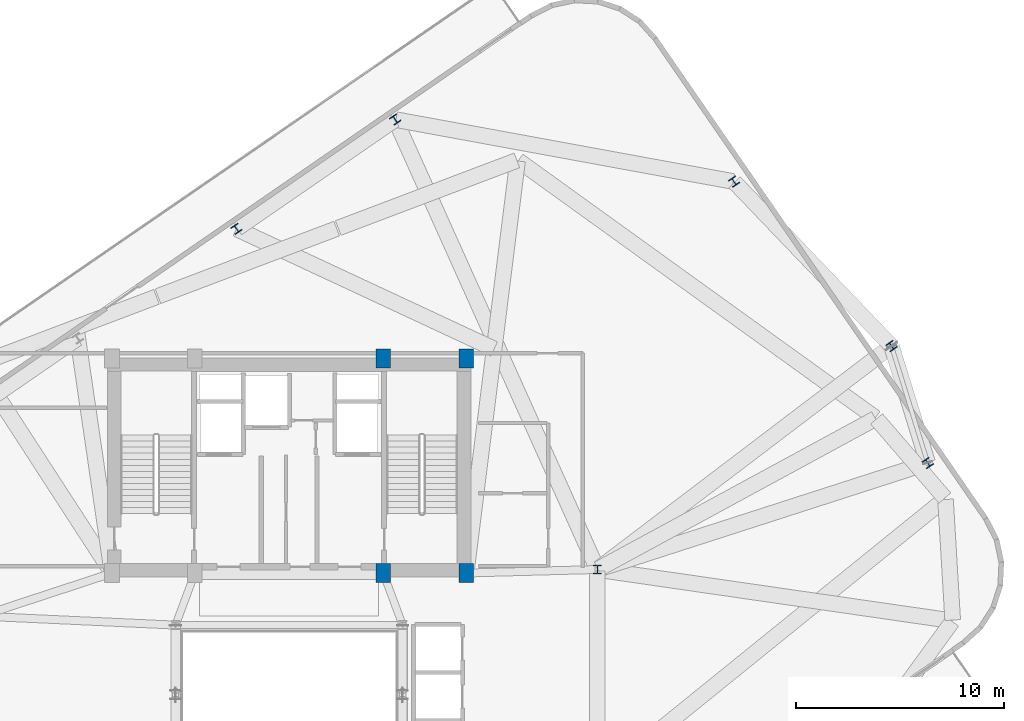
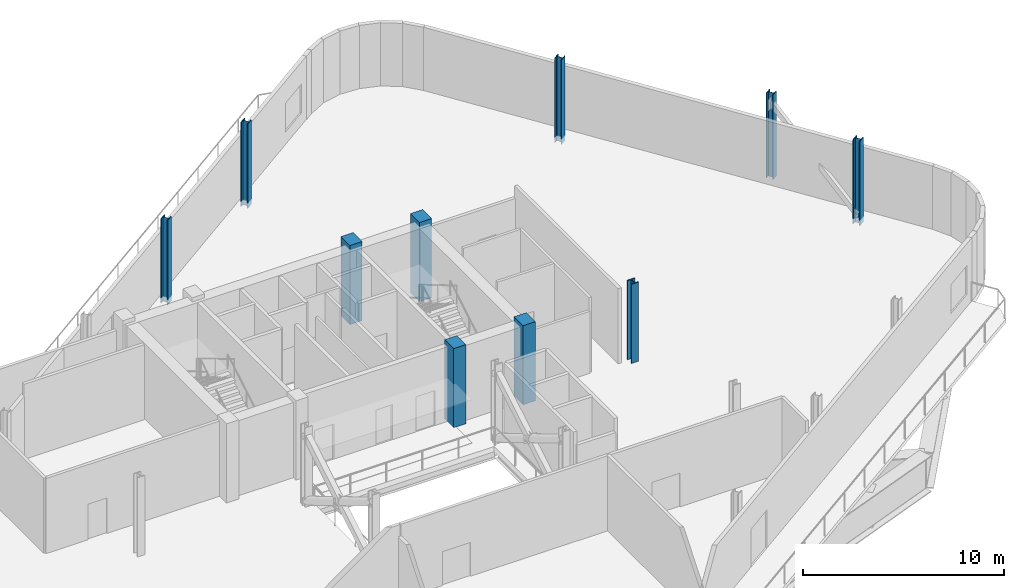
# One storey, part 2 of 13: 10 columns.
"""IFC4 building model written with IfcOpenShell, lengths in metres."""

from ifc_helpers import new_model, si_unit, direction, frame, origin, origin_2d, place, context, subcontext, project, spatial, rectangle, i_section, extrude, material, material_profile, profile_set, type_object, element, save


model = new_model("IFC4")

# Units and contexts
model_context = context("Model", 3, precision=1e-05, world=origin(), true_north=direction((0.0, 1.0)))
body_context = subcontext(model_context, "Body", "Model", "MODEL_VIEW")
ifc_project = project(units=[si_unit("LENGTHUNIT", "METRE"), si_unit("AREAUNIT", "SQUARE_METRE"), si_unit("VOLUMEUNIT", "CUBIC_METRE"), si_unit("PLANEANGLEUNIT", "RADIAN"), si_unit("MASSUNIT", "GRAM", prefix="KILO")], contexts=[model_context])

# Site, building, storey
site_placement = place(None, origin())
site = spatial("IfcSite", under=ifc_project, at=site_placement, CompositionType="ELEMENT")
building_placement = place(site_placement, origin())
building = spatial("IfcBuilding", under=site, at=building_placement, Name="Varnelok Gate Tower", CompositionType="ELEMENT")
storey_placement = place(building_placement, frame((0.0, 0.0, 253.39990234375)))
storey = spatial("IfcBuildingStorey", under=building, at=storey_placement, Name="L65", CompositionType="ELEMENT", Elevation=253.39990234375)

# Columns
ifc_material_1 = material(Name="Concrete C60/75", Category="concrete")
ifc_material_profile_1 = material_profile(ifc_material_1, rectangle(XDim=0.699951171875, YDim=0.89990234375, at=origin_2d()), Name="RC900X700")
ifc_profile_set_1 = profile_set([ifc_material_profile_1], Name="Concrete C60/75")
column_type_1 = type_object("IfcColumnType", Name="COL-RC900X700", PredefinedType="COLUMN", material=ifc_profile_set_1)
for number, where, z_axis, x_axis, name in (
    (1, (43.719970703125, 28.75, 0.0), (0.0, 0.0, 1.0), (1.0, 0.0, 0.0), "L65 Core Spine Column SC3"),
    (2, (47.699951171875, 28.75, 0.0), (0.0, 0.0, 1.0), (1.0, 0.0, 0.0), "L65 Core Spine Column SC4"),
    (3, (43.719970703125, 39.050048828125, 0.0), (0.0, 0.0, 1.0), (1.0, 0.0, 0.0), "L65 Core Spine Column SC7"),
    (4, (47.699951171875, 39.050048828125, 0.0), (0.0, 0.0, 1.0), (1.0, 0.0, 0.0), "L65 Core Spine Column SC8"),
):
    element("IfcColumn", number, at=place(storey_placement, frame(where, z_axis=z_axis, x_axis=x_axis)), inside=storey, type_object=column_type_1, Name=name, PredefinedType="COLUMN", context=body_context, shape_type="SweptSolid", body=[
        extrude(rectangle(XDim=0.699951171875, YDim=0.89990234375, at=origin_2d()), origin(), (0.0, 0.0, 1.0), 4.800048828125),
    ])
ifc_material_2 = material(Name="Structural Steel ASTM A992 Grade 50", Category="steel")
ifc_material_profile_2 = material_profile(ifc_material_2, i_section(OverallWidth=0.40087890625, OverallDepth=0.39892578125, WebThickness=0.02490234375, FlangeThickness=0.03955078125, FilletRadius=0.02197265625, at=origin_2d()), Name="W14X211")
ifc_profile_set_2 = profile_set([ifc_material_profile_2], Name="Structural Steel ASTM A992 Grade 50")
column_type_2 = type_object("IfcColumnType", Name="COL-W14X211", PredefinedType="COLUMN", material=ifc_profile_set_2)
for number, where, z_axis, x_axis, name in (
    (5, (69.856689453125, 34.031494140625, -0.31982421875), (0.0, 0.0, 1.0), (0.823532597628, 0.567268949127, 0.0), "L65 B6 Perimeter Column PC06"),
    (6, (68.115478515625, 39.644287109375, -0.31982421875), (0.0, 0.0, 1.0), (0.823532597628, 0.567268949127, 0.0), "L65 B6 Perimeter Column PC07"),
    (7, (60.5537109375, 47.537353515625, -0.31982421875), (0.0, 0.0, 1.0), (0.823532597628, 0.567268949127, 0.0), "L65 B6 Perimeter Column PC08"),
    (8, (44.29248046875, 50.519287109375, -0.31982421875), (0.0, 0.0, 1.0), (0.823532597628, 0.567268949127, 0.0), "L65 B6 Perimeter Column PC09"),
    (9, (36.6748046875, 45.27197265625, -0.31982421875), (0.0, 0.0, 1.0), (0.823532597628, 0.567268949127, 0.0), "L65 B6 Perimeter Column PC10"),
):
    element("IfcColumn", number, at=place(storey_placement, frame(where, z_axis=z_axis, x_axis=x_axis)), inside=storey, type_object=column_type_2, Name=name, PredefinedType="COLUMN", context=body_context, shape_type="SweptSolid", body=[
        extrude(i_section(OverallWidth=0.40087890625, OverallDepth=0.39892578125, WebThickness=0.02490234375, FlangeThickness=0.03955078125, FilletRadius=0.02197265625, at=origin_2d()), origin(), (0.0, 0.0, 1.0), 5.119873046875),
    ])
ifc_material_profile_3 = material_profile(ifc_material_2, i_section(OverallWidth=0.412109375, OverallDepth=0.43505859375, WebThickness=0.035888671875, FlangeThickness=0.057373046875, FilletRadius=0.02490234375, at=origin_2d()), Name="W14X311")
ifc_profile_set_3 = profile_set([ifc_material_profile_3], Name="Structural Steel ASTM A992 Grade 50")
column_type_3 = type_object("IfcColumnType", Name="COL-W14X311", PredefinedType="COLUMN", material=ifc_profile_set_3)
column_placement = place(storey_placement, frame((54.0, 28.919921875, 0.0), z_axis=(0.0, 0.0, 1.0), x_axis=(1.0, 0.0, 0.0)))
element("IfcColumn", 10, at=column_placement, inside=storey, type_object=column_type_3, Name="L65 Wing Spine Column ES2", PredefinedType="COLUMN", context=body_context, shape_type="SweptSolid", body=[
    extrude(i_section(OverallWidth=0.412109375, OverallDepth=0.43505859375, WebThickness=0.035888671875, FlangeThickness=0.057373046875, FilletRadius=0.02490234375, at=origin_2d()), origin(), (0.0, 0.0, 1.0), 4.800048828125),
])

save(model, "model.ifc")
